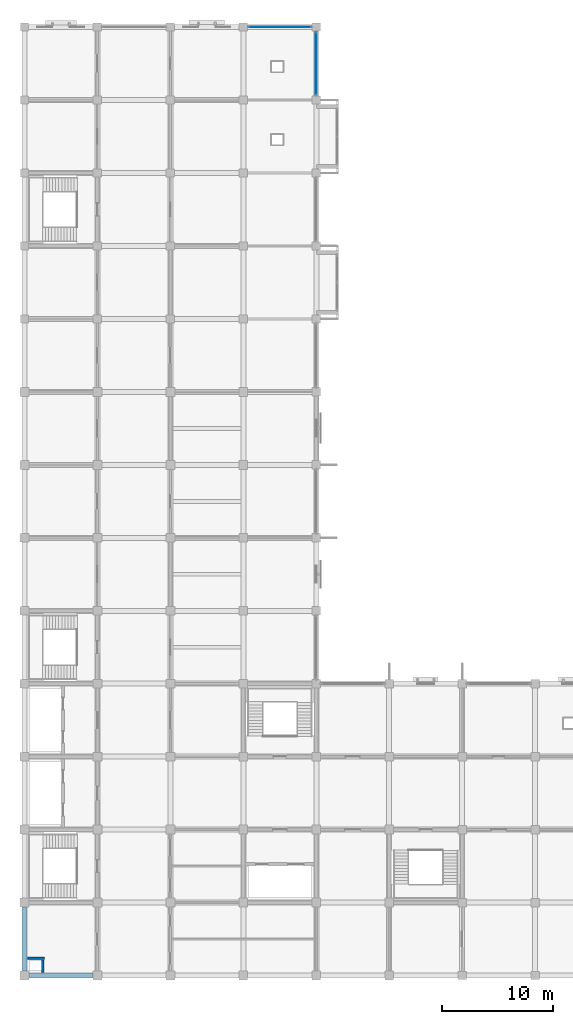
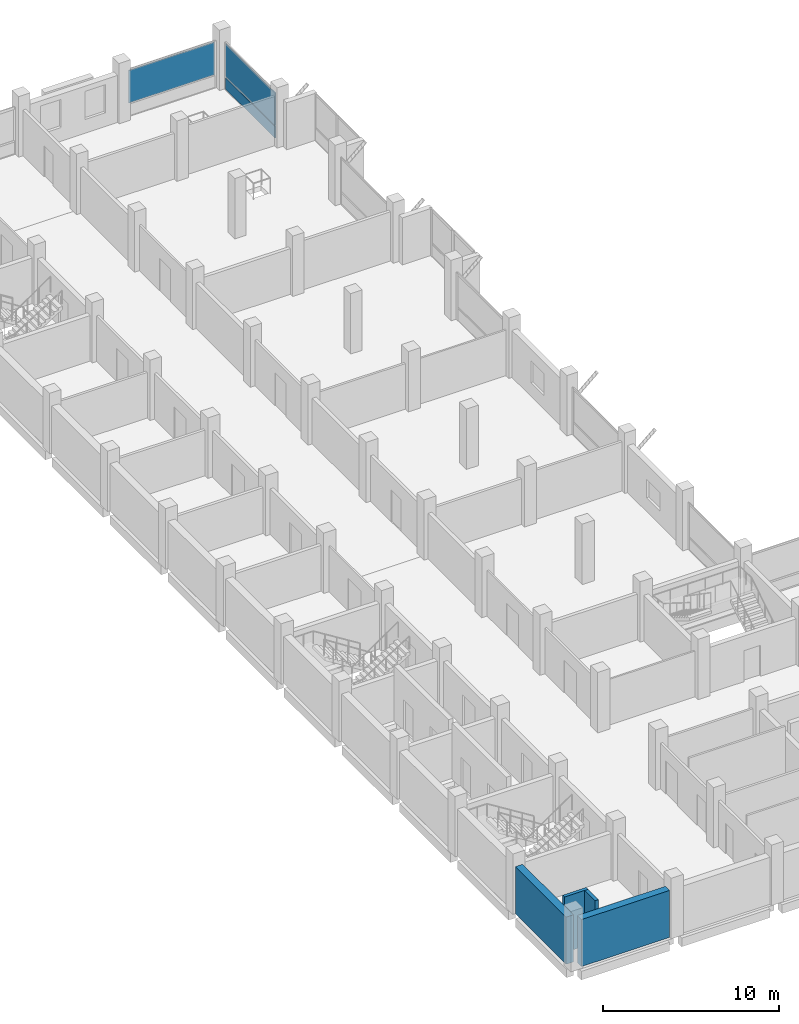
# One storey, part 9 of 18: 4 walls, 3 plates, 2 elements without a shape of their own.
"""IFC4 building model written with IfcOpenShell, lengths in metres."""

from ifc_helpers import new_model, si_unit, direction, frame, frame_2d, origin, origin_2d, place, context, subcontext, project, spatial, rectangle, extrude, material, layer, layer_set, type_object, element, aggregate, save


model = new_model("IFC4")

# Units and contexts
model_context = context("Model", 3, precision=1e-05, world=origin(), true_north=direction((0.0, 1.0)))
body_context = subcontext(model_context, "Body", "Model", "MODEL_VIEW")
ifc_project = project(units=[si_unit("LENGTHUNIT", "METRE"), si_unit("AREAUNIT", "SQUARE_METRE"), si_unit("VOLUMEUNIT", "CUBIC_METRE"), si_unit("PLANEANGLEUNIT", "RADIAN"), si_unit("MASSUNIT", "GRAM", prefix="KILO")], contexts=[model_context])

# Site, building, storey
site_placement = place(None, origin())
site = spatial("IfcSite", under=ifc_project, at=site_placement, CompositionType="ELEMENT")
building_placement = place(site_placement, origin())
building = spatial("IfcBuilding", under=site, at=building_placement, Name="Rusizi Kubbe Research Institute", CompositionType="ELEMENT")
storey_placement = place(building_placement, frame((0.0, 0.0, 22.800048828125)))
storey = spatial("IfcBuildingStorey", under=building, at=storey_placement, Name="L05", CompositionType="ELEMENT", Elevation=22.800048828125)

# Curtain wall, plate
ifc_material_1 = material(Name="Thermally Broken Aluminium and Low-E Glazing", Category="aluminium")
curtain_wall_type_1 = type_object("IfcCurtainWallType", Name="CW-09", PredefinedType="NOTDEFINED", material=ifc_material_1)
curtain_wall_1_placement = place(storey_placement, origin())
curtain_wall_1 = element("IfcCurtainWall", 1, at=curtain_wall_1_placement, inside=storey, type_object=curtain_wall_type_1, Name="Unitised Facade Curtain Wall CW-L05-H-03-13", PredefinedType="NOTDEFINED")
ifc_material_2 = material(Name="Double Low-E Solar Control Insulated Glass", Category="glass")
ifc_layer_1 = layer(ifc_material_2, 0.048095703125)
ifc_layer_set_1 = layer_set([ifc_layer_1], Name="Double Low-E Solar Control Insulated Glass")
plate_type_1 = type_object("IfcPlateType", Name="GL-07", PredefinedType="CURTAIN_PANEL", material=ifc_layer_set_1)
plate_1_placement = place(storey_placement, frame((23.10009765625, 85.800048828125, 0.932373046875), z_axis=(0.0, 0.0, 1.0), x_axis=(1.0, 0.0, 0.0)))
plate_1 = element("IfcPlate", 2, at=plate_1_placement, type_object=plate_type_1, Name="CW-09 panel 1.2", PredefinedType="CURTAIN_PANEL", context=body_context, shape_type="SweptSolid", body=[
    extrude(rectangle(XDim=5.659912109375, YDim=0.048095703125, at=origin_2d()), origin(), (0.0, 0.0, 1.0), 2.2724609375),
])
aggregate(curtain_wall_1, [plate_1])

# Curtain wall, plates
ifc_material_3 = material(Name="Thermally Broken Aluminium and Low-E Glazing", Category="aluminium")
curtain_wall_type_2 = type_object("IfcCurtainWallType", Name="CW-08", PredefinedType="NOTDEFINED", material=ifc_material_3)
curtain_wall_2_placement = place(storey_placement, origin())
curtain_wall_2 = element("IfcCurtainWall", 3, at=curtain_wall_2_placement, inside=storey, type_object=curtain_wall_type_2, Name="Unitised Facade Curtain Wall CW-L05-V-04-12", PredefinedType="NOTDEFINED")
ifc_material_4 = material(Name="Double Low-E Solar Control Insulated Glass", Category="glass")
ifc_layer_2 = layer(ifc_material_4, 0.052001953125)
ifc_layer_set_2 = layer_set([ifc_layer_2], Name="Double Low-E Solar Control Insulated Glass")
plate_type_2 = type_object("IfcPlateType", Name="GL-08", PredefinedType="CURTAIN_PANEL", material=ifc_layer_set_2)
plate_2_placement = place(storey_placement, frame((26.39990234375, 82.5, 0.93505859375), z_axis=(0.0, 0.0, 1.0), x_axis=(0.0, 1.0, 0.0)))
plate_2 = element("IfcPlate", 4, at=plate_2_placement, type_object=plate_type_2, Name="CW-08 panel 1.2", PredefinedType="CURTAIN_PANEL", context=body_context, shape_type="SweptSolid", body=[
    extrude(rectangle(XDim=5.64990234375, YDim=0.052001953125, at=origin_2d()), origin(), (0.0, 0.0, 1.0), 2.264892578125),
])
ifc_material_5 = material(Name="Ceramic-Frit Insulated Spandrel Panel", Category="glass")
ifc_layer_3 = layer(ifc_material_5, 0.075927734375)
ifc_layer_set_3 = layer_set([ifc_layer_3], Name="Ceramic-Frit Insulated Spandrel Panel")
plate_type_3 = type_object("IfcPlateType", Name="SP-04", PredefinedType="CURTAIN_PANEL", material=ifc_layer_set_3)
plate_3_placement = place(storey_placement, frame((26.39990234375, 82.5, 0.070068359375), z_axis=(0.0, 0.0, 1.0), x_axis=(0.0, 1.0, 0.0)))
plate_3 = element("IfcPlate", 5, at=plate_3_placement, type_object=plate_type_3, Name="CW-08 panel 1.1", PredefinedType="CURTAIN_PANEL", context=body_context, shape_type="SweptSolid", body=[
    extrude(rectangle(XDim=5.64990234375, YDim=0.075927734375, at=origin_2d()), origin(), (0.0, 0.0, 1.0), 0.794921875),
])
aggregate(curtain_wall_2, [plate_3, plate_2])

# Walls
ifc_material_6 = material(Name="Concrete Blockwork Fire Partition", Category="masonry")
ifc_layer_4 = layer(ifc_material_6, 0.22509765625)
ifc_layer_set_4 = layer_set([ifc_layer_4], Name="Concrete Blockwork Fire Partition")
wall_type_1 = type_object("IfcWallType", Name="IW-01", PredefinedType="PARTITIONING", material=ifc_layer_set_4)
wall_1_placement = place(storey_placement, frame((1.679931640625, 0.260009765625, 0.0), z_axis=(0.0, 0.0, 1.0), x_axis=(0.0, 1.0, 0.0)))
element("IfcWall", 6, at=wall_1_placement, inside=storey, type_object=wall_type_1, Name="Riser Shaft Wall E L05", PredefinedType="PARTITIONING", context=body_context, shape_type="SweptSolid", body=[
    extrude(rectangle(XDim=1.169921875, YDim=0.22509765625, at=frame_2d((0.5849609375, 0.0))), origin(), (0.0, 0.0, 1.0), 3.869873046875),
])
wall_2_placement = place(storey_placement, frame((0.260009765625, 1.550048828125, 0.0), z_axis=(0.0, 0.0, 1.0), x_axis=(1.0, 0.0, 0.0)))
element("IfcWall", 7, at=wall_2_placement, inside=storey, type_object=wall_type_1, Name="Riser Shaft Wall N L05", PredefinedType="PARTITIONING", context=body_context, shape_type="SweptSolid", body=[
    extrude(rectangle(XDim=1.5400390625, YDim=0.22509765625, at=frame_2d((0.77001953125, 0.0))), origin(), (0.0, 0.0, 1.0), 3.869873046875),
])
ifc_material_7 = material(Name="Concrete C40/50", Category="concrete")
ifc_layer_5 = layer(ifc_material_7, 0.47998046875)
ifc_layer_set_5 = layer_set([ifc_layer_5], Name="Concrete C40/50")
wall_type_2 = type_object("IfcWallType", Name="PW-01", PredefinedType="SOLIDWALL", material=ifc_layer_set_5)
for number, where, z_axis, x_axis, name in (
    (8, (0.39990234375, 0.0, 0.0), (0.0, 0.0, 1.0), (1.0, 0.0, 0.0), "Blind Party Wall L05 H0-0"),
    (9, (0.0, 0.39990234375, 0.0), (0.0, 0.0, 1.0), (0.0, 1.0, 0.0), "Blind Party Wall L05 V0-0"),
):
    element("IfcWall", number, at=place(storey_placement, frame(where, z_axis=z_axis, x_axis=x_axis)), inside=storey, type_object=wall_type_2, Name=name, PredefinedType="SOLIDWALL", context=body_context, shape_type="SweptSolid", body=[
        extrude(rectangle(XDim=5.800048828125, YDim=0.47998046875, at=frame_2d((2.89990234375, 0.0))), origin(), (0.0, 0.0, 1.0), 3.27001953125),
    ])

save(model, "model.ifc")
